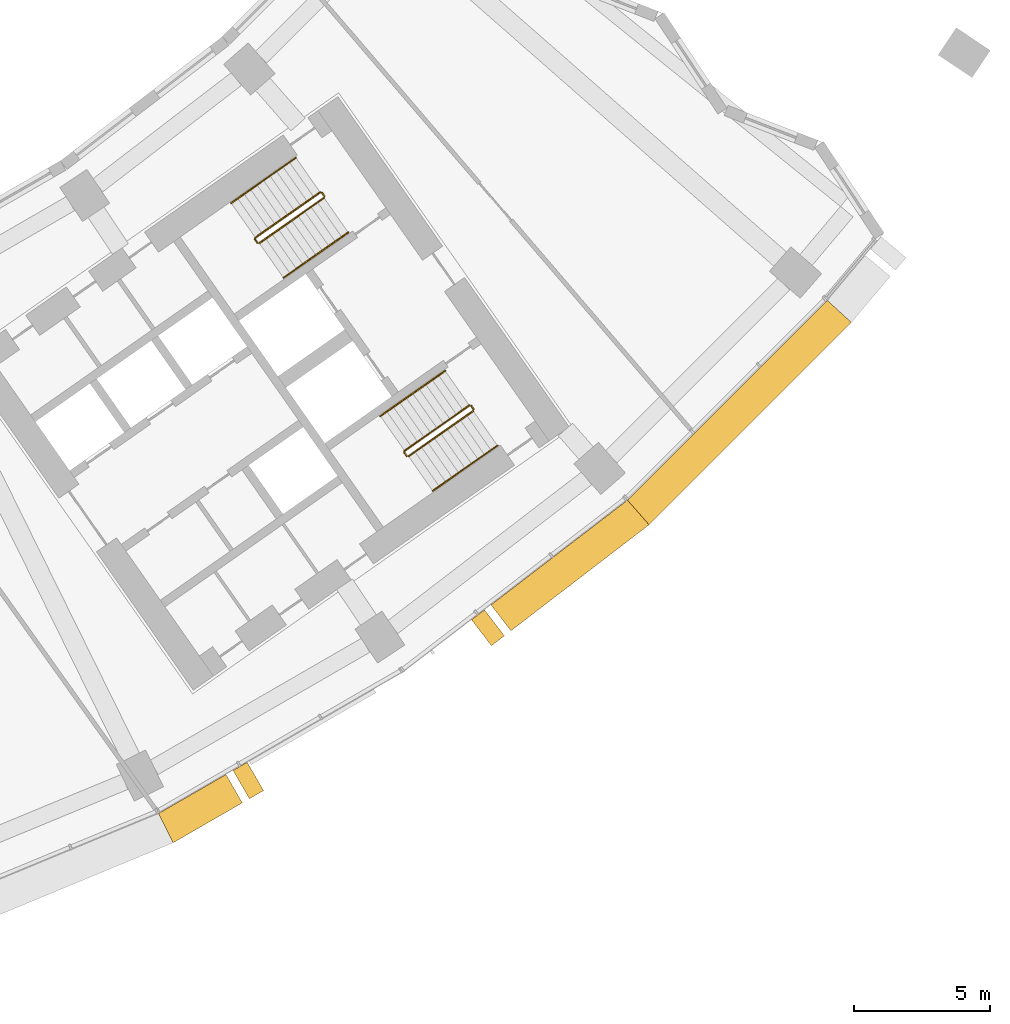
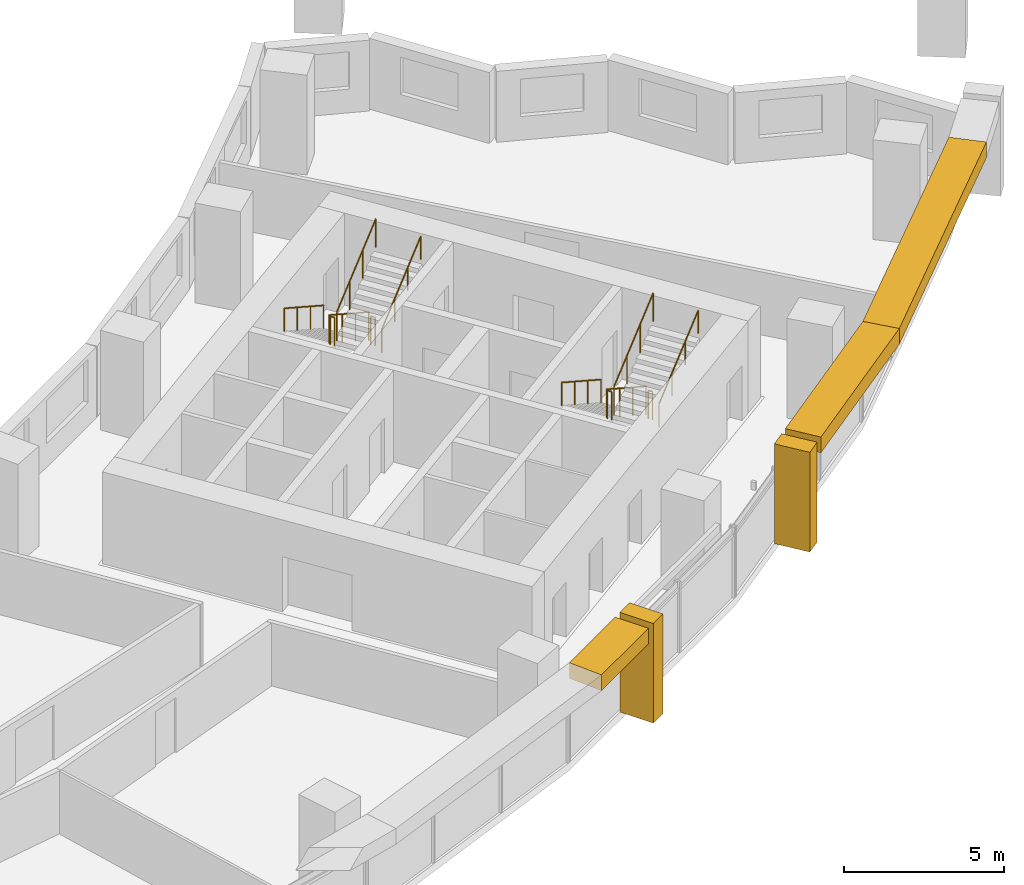
# One storey, part 28 of 29: 10 railings, 5 shading devices.
"""IFC4 building model written with IfcOpenShell, lengths in metres."""

from ifc_helpers import new_model, si_unit, direction, frame, origin, origin_2d, place, context, subcontext, project, spatial, polyline, circle, outline, extrude, material, type_object, element, save


model = new_model("IFC4")

# Units and contexts
model_context = context("Model", 3, precision=1e-05, world=origin(), true_north=direction((0.0, 1.0)))
body_context = subcontext(model_context, "Body", "Model", "MODEL_VIEW")
ifc_project = project(units=[si_unit("LENGTHUNIT", "METRE"), si_unit("AREAUNIT", "SQUARE_METRE"), si_unit("VOLUMEUNIT", "CUBIC_METRE"), si_unit("PLANEANGLEUNIT", "RADIAN"), si_unit("MASSUNIT", "GRAM", prefix="KILO")], contexts=[model_context])

# Site, building, storey
site_placement = place(None, origin())
site = spatial("IfcSite", under=ifc_project, at=site_placement, CompositionType="ELEMENT")
building_placement = place(site_placement, origin())
building = spatial("IfcBuilding", under=site, at=building_placement, Name="Qamariyya Broadcast Tower", CompositionType="ELEMENT")
storey_placement = place(building_placement, frame((0.0, 0.0, 129.10009765625)))
storey = spatial("IfcBuildingStorey", under=building, at=storey_placement, Name="L29", CompositionType="ELEMENT", Elevation=129.10009765625)

# Shading devices
ifc_material_1 = material(Name="Steel S355 powder coated deep red", Category="steel")
shading_device_type = type_object("IfcShadingDeviceType", Name="Deep red frame, powder coated steel box section", PredefinedType="USERDEFINED", material=ifc_material_1)
shading_device_1_placement = place(storey_placement, origin())
element("IfcShadingDevice", 1, at=shading_device_1_placement, inside=storey, type_object=shading_device_type, Name="e-frm-B2-F2-postb-L29", ObjectType="FRAME", PredefinedType="USERDEFINED", context=body_context, shape_type="SweptSolid", body=[
    extrude(outline(polyline([(37.80810546875, -69.543212890625), (38.408203125, -70.58251953125), (38.927734375, -70.282470703125), (38.32763671875, -69.2431640625), (37.80810546875, -69.543212890625)])), origin(), (0.0, 0.0, 1.0), 3.7998046875),
])
shading_device_2_placement = place(storey_placement, frame((0.0, 0.0, 3.199951171875)))
element("IfcShadingDevice", 2, at=shading_device_2_placement, inside=storey, type_object=shading_device_type, Name="e-frm-B2-F2-top2", ObjectType="FRAME", PredefinedType="USERDEFINED", context=body_context, shape_type="SweptSolid", body=[
    extrude(outline(polyline([(35.073486328125, -71.1220703125), (35.60546875, -72.20068359375), (38.148193359375, -70.732421875), (37.54833984375, -69.693115234375), (35.073486328125, -71.1220703125)])), origin(), (0.0, 0.0, 1.0), 0.599853515625),
])
shading_device_3_placement = place(storey_placement, origin())
element("IfcShadingDevice", 3, at=shading_device_3_placement, inside=storey, type_object=shading_device_type, Name="e-frm-B2-F4-posta-L29", ObjectType="FRAME", PredefinedType="USERDEFINED", context=body_context, shape_type="SweptSolid", body=[
    extrude(outline(polyline([(46.561767578125, -64.01318359375), (47.29248046875, -64.96533203125), (47.768310546875, -64.60009765625), (47.037841796875, -63.64794921875), (46.561767578125, -64.01318359375)])), origin(), (0.0, 0.0, 1.0), 3.7998046875),
])
shading_device_4_placement = place(storey_placement, frame((0.0, 0.0, 3.199951171875)))
element("IfcShadingDevice", 4, at=shading_device_4_placement, inside=storey, type_object=shading_device_type, Name="e-frm-B2-F4-top0", ObjectType="FRAME", PredefinedType="USERDEFINED", context=body_context, shape_type="SweptSolid", body=[
    extrude(outline(polyline([(47.27587890625, -63.46533203125), (48.00634765625, -64.41748046875), (53.0791015625, -60.525146484375), (52.2861328125, -59.620849609375), (47.27587890625, -63.46533203125)])), origin(), (0.0, 0.0, 1.0), 0.599853515625),
])
shading_device_5_placement = place(storey_placement, frame((0.0, 0.0, 3.199951171875)))
element("IfcShadingDevice", 5, at=shading_device_5_placement, inside=storey, type_object=shading_device_type, Name="e-frm-B2-F4-top1", ObjectType="FRAME", PredefinedType="USERDEFINED", context=body_context, shape_type="SweptSolid", body=[
    extrude(outline(polyline([(52.2861328125, -59.620849609375), (53.0791015625, -60.525146484375), (60.50537109375, -53.0986328125), (59.620849609375, -52.2861328125), (52.2861328125, -59.620849609375)])), origin(), (0.0, 0.0, 1.0), 0.599853515625),
])

# Railings
ifc_material_2 = material(Name="Painted steel", Category="steel")
railing_type_1 = type_object("IfcRailingType", Name="Stair guard", PredefinedType="GUARDRAIL", material=ifc_material_2)
railing_1_placement = place(storey_placement, frame((41.003173828125, -48.320068359375, 0.172607421875)))
element("IfcRailing", 6, at=railing_1_placement, inside=storey, type_object=railing_type_1, Name="L29 ST-E2 stair guard 1", PredefinedType="GUARDRAIL", context=body_context, shape_type="SweptSolid", body=[
    extrude(circle(Radius=0.02392578125, at=origin_2d()), frame((0.0, 0.0, 1.076171875), z_axis=(-0.703770094002, -0.492783725636, 0.511734163933), x_axis=(0.573575343427, -0.819152809562, 0.0)), (0.0, 0.0, 1.0), 3.37548828125),
    extrude(circle(Radius=0.02392578125, at=origin_2d()), frame((-2.37548828125, -1.663330078125, 2.80322265625), z_axis=(-0.172799478008, -0.984957024646, 0.0), x_axis=(0.984957024646, -0.172799478008, 0.0)), (0.0, 0.0, 1.0), 0.070556640625),
    extrude(circle(Radius=0.02392578125, at=origin_2d()), frame((-2.3876953125, -1.73291015625, 2.80322265625), z_axis=(0.572588637393, -0.819842821722, 0.0), x_axis=(0.819842821722, 0.572588637393, 0.0)), (0.0, 0.0, 1.0), 0.150146484375),
    extrude(circle(Radius=0.02099609375, at=origin_2d()), origin(), (0.0, 0.0, 1.0), 1.052001953125),
    extrude(circle(Radius=0.02099609375, at=origin_2d()), frame((-0.791748046875, -0.554443359375, 0.57568359375)), (0.0, 0.0, 1.0), 1.052001953125),
    extrude(circle(Radius=0.02099609375, at=origin_2d()), frame((-1.583740234375, -1.10888671875, 1.151611328125)), (0.0, 0.0, 1.0), 1.052001953125),
    extrude(circle(Radius=0.02099609375, at=origin_2d()), frame((-2.37548828125, -1.663330078125, 1.727294921875)), (0.0, 0.0, 1.0), 1.052001953125),
    extrude(circle(Radius=0.02099609375, at=origin_2d()), frame((-2.3876953125, -1.73291015625, 1.727294921875)), (0.0, 0.0, 1.0), 1.052001953125),
    extrude(circle(Radius=0.02099609375, at=origin_2d()), frame((-2.3017578125, -1.85595703125, 1.727294921875)), (0.0, 0.0, 1.0), 1.052001953125),
])
railing_2_placement = place(storey_placement, frame((38.771240234375, -50.188232421875, 2.072509765625)))
element("IfcRailing", 7, at=railing_2_placement, inside=storey, type_object=railing_type_1, Name="L29 ST-E2 stair guard 2", PredefinedType="GUARDRAIL", context=body_context, shape_type="SweptSolid", body=[
    extrude(circle(Radius=0.02392578125, at=origin_2d()), frame((0.0, 0.0, 1.076171875), z_axis=(0.703770094002, 0.492783725636, 0.511734163933), x_axis=(-0.573575343427, 0.819152809562, 0.0)), (0.0, 0.0, 1.0), 3.37548828125),
    extrude(circle(Radius=0.02099609375, at=origin_2d()), origin(), (0.0, 0.0, 1.0), 1.052001953125),
    extrude(circle(Radius=0.02099609375, at=origin_2d()), frame((0.791748046875, 0.554443359375, 0.57568359375)), (0.0, 0.0, 1.0), 1.052001953125),
    extrude(circle(Radius=0.02099609375, at=origin_2d()), frame((1.583740234375, 1.10888671875, 1.151611328125)), (0.0, 0.0, 1.0), 1.052001953125),
    extrude(circle(Radius=0.02099609375, at=origin_2d()), frame((2.37548828125, 1.663330078125, 1.727294921875)), (0.0, 0.0, 1.0), 1.052001953125),
])
railing_3_placement = place(storey_placement, frame((41.072998046875, -48.332275390625, 0.0)))
element("IfcRailing", 8, at=railing_3_placement, inside=storey, type_object=railing_type_1, Name="L29 ST-E2 stair guard 3", PredefinedType="GUARDRAIL", context=body_context, shape_type="SweptSolid", body=[
    extrude(circle(Radius=0.02392578125, at=origin_2d()), frame((0.0, 0.0, 1.076171875), z_axis=(0.572588637393, -0.819842821722, 0.0), x_axis=(0.819842821722, 0.572588637393, 0.0)), (0.0, 0.0, 1.0), 0.150146484375),
    extrude(circle(Radius=0.02099609375, at=origin_2d()), origin(), (0.0, 0.0, 1.0), 1.052001953125),
    extrude(circle(Radius=0.02099609375, at=origin_2d()), frame((0.0859375, -0.123046875, 0.0)), (0.0, 0.0, 1.0), 1.052001953125),
])
railing_4_placement = place(storey_placement, frame((46.48095703125, -56.14306640625, 0.172607421875)))
element("IfcRailing", 9, at=railing_4_placement, inside=storey, type_object=railing_type_1, Name="L29 ST-E1 stair guard 1", PredefinedType="GUARDRAIL", context=body_context, shape_type="SweptSolid", body=[
    extrude(circle(Radius=0.02392578125, at=origin_2d()), frame((0.0, 0.0, 1.076171875), z_axis=(-0.703770094002, -0.492783725636, 0.511734163933), x_axis=(0.573575343427, -0.819152809562, 0.0)), (0.0, 0.0, 1.0), 3.37548828125),
    extrude(circle(Radius=0.02392578125, at=origin_2d()), frame((-2.37548828125, -1.663330078125, 2.80322265625), z_axis=(-0.176149252506, -0.984363469884, 0.0), x_axis=(0.984363469884, -0.176149252506, 0.0)), (0.0, 0.0, 1.0), 0.07080078125),
    extrude(circle(Radius=0.02392578125, at=origin_2d()), frame((-2.387939453125, -1.73291015625, 2.80322265625), z_axis=(0.574444878118, -0.818543268254, 0.0), x_axis=(0.818543268254, 0.574444878118, 0.0)), (0.0, 0.0, 1.0), 0.150146484375),
    extrude(circle(Radius=0.02099609375, at=origin_2d()), origin(), (0.0, 0.0, 1.0), 1.052001953125),
    extrude(circle(Radius=0.02099609375, at=origin_2d()), frame((-0.791748046875, -0.554443359375, 0.57568359375)), (0.0, 0.0, 1.0), 1.052001953125),
    extrude(circle(Radius=0.02099609375, at=origin_2d()), frame((-1.583740234375, -1.10888671875, 1.151611328125)), (0.0, 0.0, 1.0), 1.052001953125),
    extrude(circle(Radius=0.02099609375, at=origin_2d()), frame((-2.37548828125, -1.663330078125, 1.727294921875)), (0.0, 0.0, 1.0), 1.052001953125),
    extrude(circle(Radius=0.02099609375, at=origin_2d()), frame((-2.387939453125, -1.73291015625, 1.727294921875)), (0.0, 0.0, 1.0), 1.052001953125),
    extrude(circle(Radius=0.02099609375, at=origin_2d()), frame((-2.3017578125, -1.855712890625, 1.727294921875)), (0.0, 0.0, 1.0), 1.052001953125),
])
railing_5_placement = place(storey_placement, frame((44.248779296875, -58.01123046875, 2.072509765625)))
element("IfcRailing", 10, at=railing_5_placement, inside=storey, type_object=railing_type_1, Name="L29 ST-E1 stair guard 2", PredefinedType="GUARDRAIL", context=body_context, shape_type="SweptSolid", body=[
    extrude(circle(Radius=0.02392578125, at=origin_2d()), frame((0.0, 0.0, 1.076171875), z_axis=(0.703745009021, 0.492838488332, 0.511715923826), x_axis=(-0.573631830683, 0.819113253969, 0.0)), (0.0, 0.0, 1.0), 3.37548828125),
    extrude(circle(Radius=0.02099609375, at=origin_2d()), origin(), (0.0, 0.0, 1.0), 1.052001953125),
    extrude(circle(Radius=0.02099609375, at=origin_2d()), frame((0.791748046875, 0.554443359375, 0.57568359375)), (0.0, 0.0, 1.0), 1.052001953125),
    extrude(circle(Radius=0.02099609375, at=origin_2d()), frame((1.583740234375, 1.109130859375, 1.151611328125)), (0.0, 0.0, 1.0), 1.052001953125),
    extrude(circle(Radius=0.02099609375, at=origin_2d()), frame((2.37548828125, 1.66357421875, 1.727294921875)), (0.0, 0.0, 1.0), 1.052001953125),
])
railing_6_placement = place(storey_placement, frame((46.550537109375, -56.1552734375, 0.0)))
element("IfcRailing", 11, at=railing_6_placement, inside=storey, type_object=railing_type_1, Name="L29 ST-E1 stair guard 3", PredefinedType="GUARDRAIL", context=body_context, shape_type="SweptSolid", body=[
    extrude(circle(Radius=0.02392578125, at=origin_2d()), frame((0.0, 0.0, 1.076171875), z_axis=(0.574444878118, -0.818543268254, 0.0), x_axis=(0.818543268254, 0.574444878118, 0.0)), (0.0, 0.0, 1.0), 0.150146484375),
    extrude(circle(Radius=0.02099609375, at=origin_2d()), origin(), (0.0, 0.0, 1.0), 1.052001953125),
    extrude(circle(Radius=0.02099609375, at=origin_2d()), frame((0.086181640625, -0.122802734375, 0.0)), (0.0, 0.0, 1.0), 1.052001953125),
])
ifc_material_3 = material(Name="Stainless steel", Category="steel")
railing_type_2 = type_object("IfcRailingType", Name="Stair handrail", PredefinedType="HANDRAIL", material=ifc_material_3)
railing_7_placement = place(storey_placement, frame((40.1142578125, -47.05029296875, 0.172607421875)))
element("IfcRailing", 12, at=railing_7_placement, inside=storey, type_object=railing_type_2, Name="L29 ST-E2 stair handrail 1", PredefinedType="HANDRAIL", context=body_context, shape_type="SweptSolid", body=[
    extrude(circle(Radius=0.02392578125, at=origin_2d()), frame((0.0, 0.0, 0.8759765625), z_axis=(-0.703745009021, -0.492838488332, 0.511715923826), x_axis=(0.573631830683, -0.819113253969, 0.0)), (0.0, 0.0, 1.0), 3.37548828125),
    extrude(circle(Radius=0.02099609375, at=origin_2d()), origin(), (0.0, 0.0, 1.0), 0.851806640625),
    extrude(circle(Radius=0.02099609375, at=origin_2d()), frame((-0.791748046875, -0.554443359375, 0.57568359375)), (0.0, 0.0, 1.0), 0.851806640625),
    extrude(circle(Radius=0.02099609375, at=origin_2d()), frame((-1.583740234375, -1.109130859375, 1.151611328125)), (0.0, 0.0, 1.0), 0.851806640625),
    extrude(circle(Radius=0.02099609375, at=origin_2d()), frame((-2.37548828125, -1.66357421875, 1.727294921875)), (0.0, 0.0, 1.0), 0.851806640625),
])
railing_8_placement = place(storey_placement, frame((39.66015625, -51.4580078125, 2.072509765625)))
element("IfcRailing", 13, at=railing_8_placement, inside=storey, type_object=railing_type_2, Name="L29 ST-E2 stair handrail 2", PredefinedType="HANDRAIL", context=body_context, shape_type="SweptSolid", body=[
    extrude(circle(Radius=0.02392578125, at=origin_2d()), frame((0.0, 0.0, 0.8759765625), z_axis=(0.703745009021, 0.492838488332, 0.511715923826), x_axis=(-0.573631830683, 0.819113253969, 0.0)), (0.0, 0.0, 1.0), 3.37548828125),
    extrude(circle(Radius=0.02099609375, at=origin_2d()), origin(), (0.0, 0.0, 1.0), 0.851806640625),
    extrude(circle(Radius=0.02099609375, at=origin_2d()), frame((0.791748046875, 0.554443359375, 0.57568359375)), (0.0, 0.0, 1.0), 0.851806640625),
    extrude(circle(Radius=0.02099609375, at=origin_2d()), frame((1.583740234375, 1.109130859375, 1.151611328125)), (0.0, 0.0, 1.0), 0.851806640625),
    extrude(circle(Radius=0.02099609375, at=origin_2d()), frame((2.37548828125, 1.66357421875, 1.727294921875)), (0.0, 0.0, 1.0), 0.851806640625),
])
railing_9_placement = place(storey_placement, frame((45.591796875, -54.873291015625, 0.172607421875)))
element("IfcRailing", 14, at=railing_9_placement, inside=storey, type_object=railing_type_2, Name="L29 ST-E1 stair handrail 1", PredefinedType="HANDRAIL", context=body_context, shape_type="SweptSolid", body=[
    extrude(circle(Radius=0.02392578125, at=origin_2d()), frame((0.0, 0.0, 0.8759765625), z_axis=(-0.703770094002, -0.492783725636, 0.511734163933), x_axis=(0.573575343427, -0.819152809562, 0.0)), (0.0, 0.0, 1.0), 3.37548828125),
    extrude(circle(Radius=0.02099609375, at=origin_2d()), origin(), (0.0, 0.0, 1.0), 0.851806640625),
    extrude(circle(Radius=0.02099609375, at=origin_2d()), frame((-0.791748046875, -0.554443359375, 0.57568359375)), (0.0, 0.0, 1.0), 0.851806640625),
    extrude(circle(Radius=0.02099609375, at=origin_2d()), frame((-1.583740234375, -1.10888671875, 1.151611328125)), (0.0, 0.0, 1.0), 0.851806640625),
    extrude(circle(Radius=0.02099609375, at=origin_2d()), frame((-2.37548828125, -1.663330078125, 1.727294921875)), (0.0, 0.0, 1.0), 0.851806640625),
])
railing_10_placement = place(storey_placement, frame((45.137939453125, -59.28076171875, 2.072509765625)))
element("IfcRailing", 15, at=railing_10_placement, inside=storey, type_object=railing_type_2, Name="L29 ST-E1 stair handrail 2", PredefinedType="HANDRAIL", context=body_context, shape_type="SweptSolid", body=[
    extrude(circle(Radius=0.02392578125, at=origin_2d()), frame((0.0, 0.0, 0.8759765625), z_axis=(0.703770094002, 0.492783725636, 0.511734163933), x_axis=(-0.573575343427, 0.819152809562, 0.0)), (0.0, 0.0, 1.0), 3.37548828125),
    extrude(circle(Radius=0.02099609375, at=origin_2d()), origin(), (0.0, 0.0, 1.0), 0.851806640625),
    extrude(circle(Radius=0.02099609375, at=origin_2d()), frame((0.791748046875, 0.554443359375, 0.57568359375)), (0.0, 0.0, 1.0), 0.851806640625),
    extrude(circle(Radius=0.02099609375, at=origin_2d()), frame((1.583740234375, 1.10888671875, 1.151611328125)), (0.0, 0.0, 1.0), 0.851806640625),
    extrude(circle(Radius=0.02099609375, at=origin_2d()), frame((2.37548828125, 1.663330078125, 1.727294921875)), (0.0, 0.0, 1.0), 0.851806640625),
])

save(model, "model.ifc")
